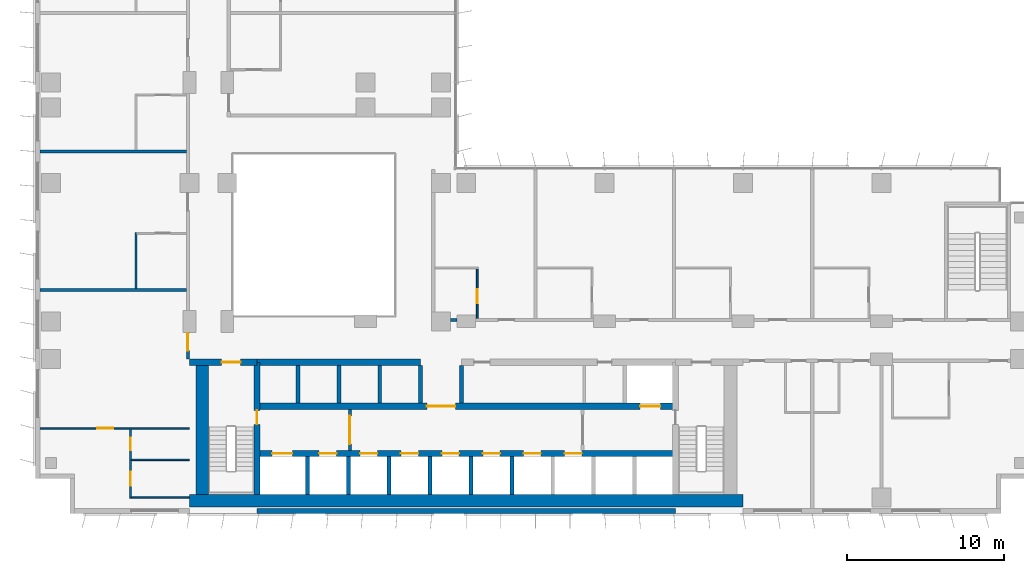
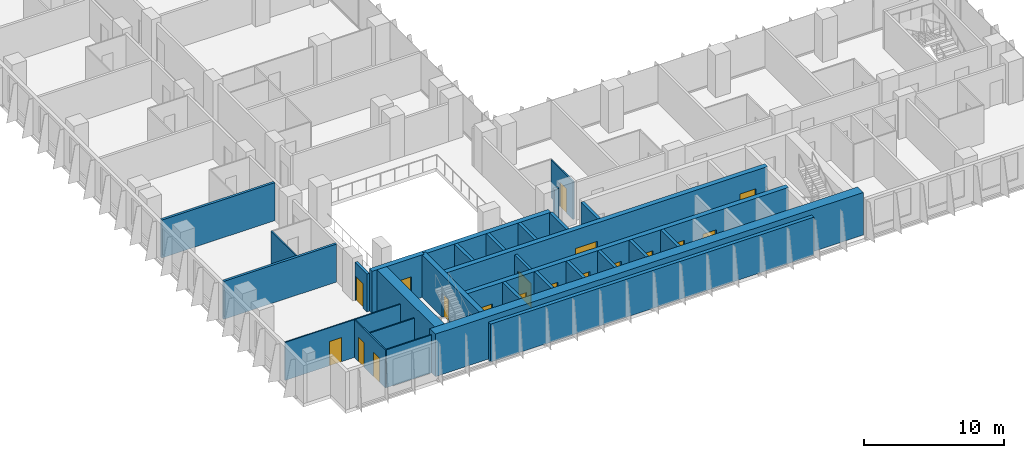
# One storey, part 12 of 22: 30 walls, 18 doors, 18 openings.
"""IFC4 building model written with IfcOpenShell, lengths in metres."""

from ifc_helpers import new_model, si_unit, direction, frame, frame_2d, origin, place, context, subcontext, project, spatial, rectangle, extrude, material, layer, layer_set, type_object, element, fill, save


model = new_model("IFC4")

# Units and contexts
model_context = context("Model", 3, precision=1e-05, world=origin(), true_north=direction((0.0, 1.0)))
body_context = subcontext(model_context, "Body", "Model", "MODEL_VIEW")
ifc_project = project(units=[si_unit("LENGTHUNIT", "METRE"), si_unit("AREAUNIT", "SQUARE_METRE"), si_unit("VOLUMEUNIT", "CUBIC_METRE"), si_unit("PLANEANGLEUNIT", "RADIAN"), si_unit("MASSUNIT", "GRAM", prefix="KILO")], contexts=[model_context])

# Site, building, storey
site_placement = place(None, origin())
site = spatial("IfcSite", under=ifc_project, at=site_placement, CompositionType="ELEMENT")
building_placement = place(site_placement, origin())
building = spatial("IfcBuilding", under=site, at=building_placement, Name="Kemantara Hotel Tower", CompositionType="ELEMENT")
storey_placement = place(building_placement, frame((0.0, 0.0, 98.199951171875)))
storey = spatial("IfcBuildingStorey", under=building, at=storey_placement, Name="L23", CompositionType="ELEMENT", Elevation=98.199951171875)

# Walls
ifc_material_1 = material(Name="Bronze anodised aluminium cladding on insulated steel stud wall", Category="steel")
ifc_layer_1 = layer(ifc_material_1, 0.300048828125)
ifc_layer_set_1 = layer_set([ifc_layer_1], Name="Bronze anodised aluminium cladding on insulated steel stud wall")
wall_type_1 = type_object("IfcWallType", Name="BRONZE METAL-CLAD EXTERNAL WALL 300", PredefinedType="STANDARD", material=ifc_layer_set_1)
wall_1_placement = place(storey_placement, frame((14.10009765625, 0.14990234375, 0.0), z_axis=(0.0, 0.0, 1.0), x_axis=(1.0, 0.0, 0.0)))
element("IfcWall", 1, at=wall_1_placement, inside=storey, type_object=wall_type_1, Name="EXTERNAL WALL L23 T2-R07-2", PredefinedType="STANDARD", context=body_context, shape_type="SweptSolid", body=[
    extrude(rectangle(XDim=26.599853515625, YDim=0.300048828125, at=frame_2d((13.2998046875, 0.0))), origin(), (0.0, 0.0, 1.0), 3.300048828125),
])
ifc_material_2 = material(Name="Concrete fc 70 MPa", Category="concrete")
ifc_layer_2 = layer(ifc_material_2, 0.25)
ifc_layer_set_2 = layer_set([ifc_layer_2], Name="Concrete fc 70 MPa")
wall_type_2 = type_object("IfcWallType", Name="CORE WALL 250 FC70", PredefinedType="SHEAR", material=ifc_layer_set_2)
for number, where, z_axis, x_axis, name in (
    (2, (17.300048828125, 1.199951171875, 0.0), (0.0, 0.0, 1.0), (0.0, 1.0, 0.0), "CORE WALL CW-DS17.3"),
    (3, (19.89990234375, 1.199951171875, 0.0), (0.0, 0.0, 1.0), (0.0, 1.0, 0.0), "CORE WALL CW-DS19.9"),
    (4, (22.5, 1.199951171875, 0.0), (0.0, 0.0, 1.0), (0.0, 1.0, 0.0), "CORE WALL CW-DS22.5"),
    (5, (25.10009765625, 1.199951171875, 0.0), (0.0, 0.0, 1.0), (0.0, 1.0, 0.0), "CORE WALL CW-DS25.1"),
    (6, (27.699951171875, 1.199951171875, 0.0), (0.0, 0.0, 1.0), (0.0, 1.0, 0.0), "CORE WALL CW-DS27.7"),
    (7, (30.300048828125, 1.199951171875, 0.0), (0.0, 0.0, 1.0), (0.0, 1.0, 0.0), "CORE WALL CW-DS30.3"),
):
    element("IfcWall", number, at=place(storey_placement, frame(where, z_axis=z_axis, x_axis=x_axis)), inside=storey, type_object=wall_type_2, Name=name, PredefinedType="SHEAR", context=body_context, shape_type="SweptSolid", body=[
        extrude(rectangle(XDim=2.400146484375, YDim=0.25, at=frame_2d((1.2001953125, 0.0))), origin(), (0.0, 0.0, 1.0), 3.699951171875),
    ])
for number, where, z_axis, x_axis, name in (
    (8, (16.699951171875, 7.0, 0.0), (0.0, 0.0, 1.0), (0.0, 1.0, 0.0), "CORE WALL CW-DN16.7"),
    (9, (19.300048828125, 7.0, 0.0), (0.0, 0.0, 1.0), (0.0, 1.0, 0.0), "CORE WALL CW-DN19.3"),
    (10, (21.89990234375, 7.0, 0.0), (0.0, 0.0, 1.0), (0.0, 1.0, 0.0), "CORE WALL CW-DN21.9"),
    (11, (24.5, 7.0, 0.0), (0.0, 0.0, 1.0), (0.0, 1.0, 0.0), "CORE WALL CW-DN24.5"),
    (12, (27.10009765625, 7.0, 0.0), (0.0, 0.0, 1.0), (0.0, 1.0, 0.0), "CORE WALL CW-DN27.1"),
):
    element("IfcWall", number, at=place(storey_placement, frame(where, z_axis=z_axis, x_axis=x_axis)), inside=storey, type_object=wall_type_2, Name=name, PredefinedType="SHEAR", context=body_context, shape_type="SweptSolid", body=[
        extrude(rectangle(XDim=2.39990234375, YDim=0.25, at=frame_2d((1.199951171875, 0.0))), origin(), (0.0, 0.0, 1.0), 3.699951171875),
    ])

# Wall, opening, door
ifc_layer_3 = layer(ifc_material_2, 0.39990234375)
ifc_layer_set_3 = layer_set([ifc_layer_3], Name="Concrete fc 70 MPa")
wall_type_3 = type_object("IfcWallType", Name="CORE WALL 400 FC70", PredefinedType="SHEAR", material=ifc_layer_set_3)
wall_2_placement = place(storey_placement, frame((9.800048828125, 9.60009765625, 0.0), z_axis=(0.0, 0.0, 1.0), x_axis=(1.0, 0.0, 0.0)))
wall_2 = element("IfcWall", 13, at=wall_2_placement, inside=storey, type_object=wall_type_3, Name="CORE WALL CW-N1", PredefinedType="SHEAR", context=body_context, shape_type="SweptSolid", body=[
    extrude(rectangle(XDim=4.300048828125, YDim=0.39990234375, at=frame_2d((2.14990234375, 0.0))), origin(), (0.0, 0.0, 1.0), 3.699951171875),
])
opening_1_placement = place(wall_2_placement, frame((2.050048828125, 0.0, 0.0)))
opening_1 = element("IfcOpeningElement", 14, at=opening_1_placement, cuts=wall_2, Name="Opening C16-ST1-C", PredefinedType="OPENING", context=body_context, shape_type="SweptSolid", body=[
    extrude(rectangle(XDim=1.199951171875, YDim=2.10009765625, at=frame_2d((0.60009765625, 1.050048828125))), frame((0.0, 0.2099609375, 0.0), z_axis=(0.0, -1.0, 0.0), x_axis=(1.0, 0.0, 0.0)), (0.0, 0.0, 1.0), 0.419921875),
])
ifc_material_3 = material(Name="Steel fire door", Category="steel")
door_type_1 = type_object("IfcDoorType", Name="Fire door FD90 1200 x 2100", OperationType="NOTDEFINED", PredefinedType="DOOR", material=ifc_material_3)
door_1_placement = place(opening_1_placement, frame((1.199951171875, 0.0, 0.0), z_axis=(0.0, 0.0, 1.0), x_axis=(-1.0, 0.0, 0.0)))
door_1 = element("IfcDoor", 15, at=door_1_placement, inside=storey, type_object=door_type_1, Name="Stair ST1 door to corridor", OperationType="SINGLE_SWING_LEFT", OverallHeight=2.10009765625, OverallWidth=1.199951171875, PredefinedType="DOOR", context=body_context, shape_type="SweptSolid", body=[
    extrude(rectangle(XDim=1.199951171875, YDim=2.10009765625, at=frame_2d((0.60009765625, 1.050048828125))), frame((0.0, 0.02490234375, 0.0), z_axis=(0.0, -1.0, 0.0), x_axis=(1.0, 0.0, 0.0)), (0.0, 0.0, 1.0), 0.050048828125),
])
fill(opening_1, door_1)

# Wall
wall_3_placement = place(storey_placement, frame((14.10009765625, 9.60009765625, 0.0), z_axis=(0.0, 0.0, 1.0), x_axis=(1.0, 0.0, 0.0)))
element("IfcWall", 16, at=wall_3_placement, inside=storey, type_object=wall_type_3, Name="CORE WALL CW-NN1", PredefinedType="SHEAR", context=body_context, shape_type="SweptSolid", body=[
    extrude(rectangle(XDim=10.39990234375, YDim=0.39990234375, at=frame_2d((5.199951171875, 0.0))), origin(), (0.0, 0.0, 1.0), 3.699951171875),
])

# Wall, openings, doors
wall_4_placement = place(storey_placement, frame((14.10009765625, 3.800048828125, 0.0), z_axis=(0.0, 0.0, 1.0), x_axis=(1.0, 0.0, 0.0)))
wall_4 = element("IfcWall", 17, at=wall_4_placement, inside=storey, type_object=wall_type_3, Name="CORE WALL CW-L1", PredefinedType="SHEAR", context=body_context, shape_type="SweptSolid", body=[
    extrude(rectangle(XDim=26.599853515625, YDim=0.39990234375, at=frame_2d((13.2998046875, 0.0))), origin(), (0.0, 0.0, 1.0), 3.699951171875),
])
opening_2_placement = place(wall_4_placement, frame((0.949951171875, 0.0, 0.0)))
opening_2 = element("IfcOpeningElement", 18, at=opening_2_placement, cuts=wall_4, Name="Opening C16-LD-FF1", PredefinedType="OPENING", context=body_context, shape_type="SweptSolid", body=[
    extrude(rectangle(XDim=1.300048828125, YDim=2.10009765625, at=frame_2d((0.64990234375, 1.050048828125))), frame((0.0, 0.2099609375, 0.0), z_axis=(0.0, -1.0, 0.0), x_axis=(1.0, 0.0, 0.0)), (0.0, 0.0, 1.0), 0.419921875),
])
opening_3_placement = place(wall_4_placement, frame((3.949951171875, 0.0, 0.0)))
opening_3 = element("IfcOpeningElement", 19, at=opening_3_placement, cuts=wall_4, Name="Opening C16-LD-SV1", PredefinedType="OPENING", context=body_context, shape_type="SweptSolid", body=[
    extrude(rectangle(XDim=1.10009765625, YDim=2.10009765625, at=frame_2d((0.550048828125, 1.050048828125))), frame((0.0, 0.2099609375, 0.0), z_axis=(0.0, -1.0, 0.0), x_axis=(1.0, 0.0, 0.0)), (0.0, 0.0, 1.0), 0.419921875),
])
opening_4_placement = place(wall_4_placement, frame((6.550048828125, 0.0, 0.0)))
opening_4 = element("IfcOpeningElement", 20, at=opening_4_placement, cuts=wall_4, Name="Opening C16-LD-SV2", PredefinedType="OPENING", context=body_context, shape_type="SweptSolid", body=[
    extrude(rectangle(XDim=1.10009765625, YDim=2.10009765625, at=frame_2d((0.550048828125, 1.050048828125))), frame((0.0, 0.2099609375, 0.0), z_axis=(0.0, -1.0, 0.0), x_axis=(1.0, 0.0, 0.0)), (0.0, 0.0, 1.0), 0.419921875),
])
opening_5_placement = place(wall_4_placement, frame((9.14990234375, 0.0, 0.0)))
opening_5 = element("IfcOpeningElement", 21, at=opening_5_placement, cuts=wall_4, Name="Opening C16-LD-SV3", PredefinedType="OPENING", context=body_context, shape_type="SweptSolid", body=[
    extrude(rectangle(XDim=1.10009765625, YDim=2.10009765625, at=frame_2d((0.550048828125, 1.050048828125))), frame((0.0, 0.2099609375, 0.0), z_axis=(0.0, -1.0, 0.0), x_axis=(1.0, 0.0, 0.0)), (0.0, 0.0, 1.0), 0.419921875),
])
opening_6_placement = place(wall_4_placement, frame((11.75, 0.0, 0.0)))
opening_6 = element("IfcOpeningElement", 22, at=opening_6_placement, cuts=wall_4, Name="Opening C16-LD-LR1", PredefinedType="OPENING", context=body_context, shape_type="SweptSolid", body=[
    extrude(rectangle(XDim=1.10009765625, YDim=2.10009765625, at=frame_2d((0.550048828125, 1.050048828125))), frame((0.0, 0.2099609375, 0.0), z_axis=(0.0, -1.0, 0.0), x_axis=(1.0, 0.0, 0.0)), (0.0, 0.0, 1.0), 0.419921875),
])
opening_7_placement = place(wall_4_placement, frame((14.35009765625, 0.0, 0.0)))
opening_7 = element("IfcOpeningElement", 23, at=opening_7_placement, cuts=wall_4, Name="Opening C16-LD-LR2", PredefinedType="OPENING", context=body_context, shape_type="SweptSolid", body=[
    extrude(rectangle(XDim=1.10009765625, YDim=2.10009765625, at=frame_2d((0.550048828125, 1.050048828125))), frame((0.0, 0.2099609375, 0.0), z_axis=(0.0, -1.0, 0.0), x_axis=(1.0, 0.0, 0.0)), (0.0, 0.0, 1.0), 0.419921875),
])
opening_8_placement = place(wall_4_placement, frame((16.949951171875, 0.0, 0.0)))
opening_8 = element("IfcOpeningElement", 24, at=opening_8_placement, cuts=wall_4, Name="Opening C16-LD-LR3", PredefinedType="OPENING", context=body_context, shape_type="SweptSolid", body=[
    extrude(rectangle(XDim=1.10009765625, YDim=2.10009765625, at=frame_2d((0.550048828125, 1.050048828125))), frame((0.0, 0.2099609375, 0.0), z_axis=(0.0, -1.0, 0.0), x_axis=(1.0, 0.0, 0.0)), (0.0, 0.0, 1.0), 0.419921875),
])
opening_9_placement = place(wall_4_placement, frame((19.550048828125, 0.0, 0.0)))
opening_9 = element("IfcOpeningElement", 25, at=opening_9_placement, cuts=wall_4, Name="Opening C16-LD-LR4", PredefinedType="OPENING", context=body_context, shape_type="SweptSolid", body=[
    extrude(rectangle(XDim=1.10009765625, YDim=2.10009765625, at=frame_2d((0.550048828125, 1.050048828125))), frame((0.0, 0.2099609375, 0.0), z_axis=(0.0, -1.0, 0.0), x_axis=(1.0, 0.0, 0.0)), (0.0, 0.0, 1.0), 0.419921875),
])
ifc_material_4 = material(Name="Stainless steel lift door", Category="steel")
door_type_2 = type_object("IfcDoorType", Name="Lift landing door 1100 x 2100 FD60", OperationType="DOUBLE_DOOR_SLIDING", PredefinedType="DOOR", material=ifc_material_4)
door_2_placement = place(opening_3_placement, origin())
door_2 = element("IfcDoor", 26, at=door_2_placement, inside=storey, type_object=door_type_2, Name="Lift SV1 landing door", OperationType="DOUBLE_DOOR_SLIDING", OverallHeight=2.10009765625, OverallWidth=1.10009765625, PredefinedType="DOOR", context=body_context, shape_type="SweptSolid", body=[
    extrude(rectangle(XDim=1.10009765625, YDim=2.10009765625, at=frame_2d((0.550048828125, 1.050048828125))), frame((0.0, 0.02490234375, 0.0), z_axis=(0.0, -1.0, 0.0), x_axis=(1.0, 0.0, 0.0)), (0.0, 0.0, 1.0), 0.050048828125),
])
fill(opening_3, door_2)
door_3_placement = place(opening_4_placement, origin())
door_3 = element("IfcDoor", 27, at=door_3_placement, inside=storey, type_object=door_type_2, Name="Lift SV2 landing door", OperationType="DOUBLE_DOOR_SLIDING", OverallHeight=2.10009765625, OverallWidth=1.10009765625, PredefinedType="DOOR", context=body_context, shape_type="SweptSolid", body=[
    extrude(rectangle(XDim=1.10009765625, YDim=2.10009765625, at=frame_2d((0.550048828125, 1.050048828125))), frame((0.0, 0.02490234375, 0.0), z_axis=(0.0, -1.0, 0.0), x_axis=(1.0, 0.0, 0.0)), (0.0, 0.0, 1.0), 0.050048828125),
])
fill(opening_4, door_3)
door_4_placement = place(opening_5_placement, origin())
door_4 = element("IfcDoor", 28, at=door_4_placement, inside=storey, type_object=door_type_2, Name="Lift SV3 landing door", OperationType="DOUBLE_DOOR_SLIDING", OverallHeight=2.10009765625, OverallWidth=1.10009765625, PredefinedType="DOOR", context=body_context, shape_type="SweptSolid", body=[
    extrude(rectangle(XDim=1.10009765625, YDim=2.10009765625, at=frame_2d((0.550048828125, 1.050048828125))), frame((0.0, 0.02490234375, 0.0), z_axis=(0.0, -1.0, 0.0), x_axis=(1.0, 0.0, 0.0)), (0.0, 0.0, 1.0), 0.050048828125),
])
fill(opening_5, door_4)
door_5_placement = place(opening_6_placement, origin())
door_5 = element("IfcDoor", 29, at=door_5_placement, inside=storey, type_object=door_type_2, Name="Lift LR1 landing door", OperationType="DOUBLE_DOOR_SLIDING", OverallHeight=2.10009765625, OverallWidth=1.10009765625, PredefinedType="DOOR", context=body_context, shape_type="SweptSolid", body=[
    extrude(rectangle(XDim=1.10009765625, YDim=2.10009765625, at=frame_2d((0.550048828125, 1.050048828125))), frame((0.0, 0.02490234375, 0.0), z_axis=(0.0, -1.0, 0.0), x_axis=(1.0, 0.0, 0.0)), (0.0, 0.0, 1.0), 0.050048828125),
])
fill(opening_6, door_5)
door_6_placement = place(opening_7_placement, origin())
door_6 = element("IfcDoor", 30, at=door_6_placement, inside=storey, type_object=door_type_2, Name="Lift LR2 landing door", OperationType="DOUBLE_DOOR_SLIDING", OverallHeight=2.10009765625, OverallWidth=1.10009765625, PredefinedType="DOOR", context=body_context, shape_type="SweptSolid", body=[
    extrude(rectangle(XDim=1.10009765625, YDim=2.10009765625, at=frame_2d((0.550048828125, 1.050048828125))), frame((0.0, 0.02490234375, 0.0), z_axis=(0.0, -1.0, 0.0), x_axis=(1.0, 0.0, 0.0)), (0.0, 0.0, 1.0), 0.050048828125),
])
fill(opening_7, door_6)
door_7_placement = place(opening_8_placement, origin())
door_7 = element("IfcDoor", 31, at=door_7_placement, inside=storey, type_object=door_type_2, Name="Lift LR3 landing door", OperationType="DOUBLE_DOOR_SLIDING", OverallHeight=2.10009765625, OverallWidth=1.10009765625, PredefinedType="DOOR", context=body_context, shape_type="SweptSolid", body=[
    extrude(rectangle(XDim=1.10009765625, YDim=2.10009765625, at=frame_2d((0.550048828125, 1.050048828125))), frame((0.0, 0.02490234375, 0.0), z_axis=(0.0, -1.0, 0.0), x_axis=(1.0, 0.0, 0.0)), (0.0, 0.0, 1.0), 0.050048828125),
])
fill(opening_8, door_7)
door_8_placement = place(opening_9_placement, origin())
door_8 = element("IfcDoor", 32, at=door_8_placement, inside=storey, type_object=door_type_2, Name="Lift LR4 landing door", OperationType="DOUBLE_DOOR_SLIDING", OverallHeight=2.10009765625, OverallWidth=1.10009765625, PredefinedType="DOOR", context=body_context, shape_type="SweptSolid", body=[
    extrude(rectangle(XDim=1.10009765625, YDim=2.10009765625, at=frame_2d((0.550048828125, 1.050048828125))), frame((0.0, 0.02490234375, 0.0), z_axis=(0.0, -1.0, 0.0), x_axis=(1.0, 0.0, 0.0)), (0.0, 0.0, 1.0), 0.050048828125),
])
fill(opening_9, door_8)
door_type_3 = type_object("IfcDoorType", Name="Lift landing door 1300 x 2100 FD90", OperationType="DOUBLE_DOOR_SLIDING", PredefinedType="DOOR", material=ifc_material_4)
door_9_placement = place(opening_2_placement, origin())
door_9 = element("IfcDoor", 33, at=door_9_placement, inside=storey, type_object=door_type_3, Name="Lift FF1 landing door", OperationType="DOUBLE_DOOR_SLIDING", OverallHeight=2.10009765625, OverallWidth=1.300048828125, PredefinedType="DOOR", context=body_context, shape_type="SweptSolid", body=[
    extrude(rectangle(XDim=1.300048828125, YDim=2.10009765625, at=frame_2d((0.64990234375, 1.050048828125))), frame((0.0, 0.02490234375, 0.0), z_axis=(0.0, -1.0, 0.0), x_axis=(1.0, 0.0, 0.0)), (0.0, 0.0, 1.0), 0.050048828125),
])
fill(opening_2, door_9)

wall_5_placement = place(storey_placement, frame((14.10009765625, 6.800048828125, 0.0), z_axis=(0.0, 0.0, 1.0), x_axis=(1.0, 0.0, 0.0)))
wall_5 = element("IfcWall", 34, at=wall_5_placement, inside=storey, type_object=wall_type_3, Name="CORE WALL CW-L2", PredefinedType="SHEAR", context=body_context, shape_type="SweptSolid", body=[
    extrude(rectangle(XDim=26.599853515625, YDim=0.39990234375, at=frame_2d((13.2998046875, 0.0))), origin(), (0.0, 0.0, 1.0), 3.699951171875),
])
opening_10_placement = place(wall_5_placement, frame((10.800048828125, 0.0, 0.0)))
opening_10 = element("IfcOpeningElement", 35, at=opening_10_placement, cuts=wall_5, Name="Opening C16-VL", PredefinedType="OPENING", context=body_context, shape_type="SweptSolid", body=[
    extrude(rectangle(XDim=1.800048828125, YDim=2.10009765625, at=frame_2d((0.89990234375, 1.050048828125))), frame((0.0, 0.2099609375, 0.0), z_axis=(0.0, -1.0, 0.0), x_axis=(1.0, 0.0, 0.0)), (0.0, 0.0, 1.0), 0.419921875),
])
opening_11_placement = place(wall_5_placement, frame((24.35009765625, 0.0, 0.0)))
opening_11 = element("IfcOpeningElement", 36, at=opening_11_placement, cuts=wall_5, Name="Opening C16-LD-FF2", PredefinedType="OPENING", context=body_context, shape_type="SweptSolid", body=[
    extrude(rectangle(XDim=1.300048828125, YDim=2.10009765625, at=frame_2d((0.64990234375, 1.050048828125))), frame((0.0, 0.2099609375, 0.0), z_axis=(0.0, -1.0, 0.0), x_axis=(1.0, 0.0, 0.0)), (0.0, 0.0, 1.0), 0.419921875),
])
door_type_4 = type_object("IfcDoorType", Name="Fire door pair FD60 1800 x 2100", OperationType="DOUBLE_DOOR_SINGLE_SWING", PredefinedType="DOOR", material=ifc_material_3)
door_10_placement = place(opening_10_placement, frame((1.800048828125, 0.0, 0.0), z_axis=(0.0, 0.0, 1.0), x_axis=(-1.0, 0.0, 0.0)))
door_10 = element("IfcDoor", 37, at=door_10_placement, inside=storey, type_object=door_type_4, Name="Lift lobby entry door", OperationType="DOUBLE_DOOR_SINGLE_SWING", OverallHeight=2.10009765625, OverallWidth=1.800048828125, PredefinedType="DOOR", context=body_context, shape_type="SweptSolid", body=[
    extrude(rectangle(XDim=1.800048828125, YDim=2.10009765625, at=frame_2d((0.89990234375, 1.050048828125))), frame((0.0, 0.02490234375, 0.0), z_axis=(0.0, -1.0, 0.0), x_axis=(1.0, 0.0, 0.0)), (0.0, 0.0, 1.0), 0.050048828125),
])
fill(opening_10, door_10)
door_11_placement = place(opening_11_placement, origin())
door_11 = element("IfcDoor", 38, at=door_11_placement, inside=storey, type_object=door_type_3, Name="Lift FF2 landing door", OperationType="DOUBLE_DOOR_SLIDING", OverallHeight=2.10009765625, OverallWidth=1.300048828125, PredefinedType="DOOR", context=body_context, shape_type="SweptSolid", body=[
    extrude(rectangle(XDim=1.300048828125, YDim=2.10009765625, at=frame_2d((0.64990234375, 1.050048828125))), frame((0.0, 0.02490234375, 0.0), z_axis=(0.0, -1.0, 0.0), x_axis=(1.0, 0.0, 0.0)), (0.0, 0.0, 1.0), 0.050048828125),
])
fill(opening_11, door_11)

# Wall, opening, door
wall_6_placement = place(storey_placement, frame((14.10009765625, 1.199951171875, 0.0), z_axis=(0.0, 0.0, 1.0), x_axis=(0.0, 1.0, 0.0)))
wall_6 = element("IfcWall", 39, at=wall_6_placement, inside=storey, type_object=wall_type_3, Name="CORE WALL CW-ST1E", PredefinedType="SHEAR", context=body_context, shape_type="SweptSolid", body=[
    extrude(rectangle(XDim=8.400146484375, YDim=0.39990234375, at=frame_2d((4.2001953125, 0.0))), origin(), (0.0, 0.0, 1.0), 3.699951171875),
])
opening_12_placement = place(wall_6_placement, frame((4.449951171875, 0.0, 0.0)))
opening_12 = element("IfcOpeningElement", 40, at=opening_12_placement, cuts=wall_6, Name="Opening C16-ST1-F", PredefinedType="OPENING", context=body_context, shape_type="SweptSolid", body=[
    extrude(rectangle(XDim=0.89990234375, YDim=2.10009765625, at=frame_2d((0.449951171875, 1.050048828125))), frame((0.0, 0.2099609375, 0.0), z_axis=(0.0, -1.0, 0.0), x_axis=(1.0, 0.0, 0.0)), (0.0, 0.0, 1.0), 0.419921875),
])
door_type_5 = type_object("IfcDoorType", Name="Fire door FD90 900 x 2100", OperationType="NOTDEFINED", PredefinedType="DOOR", material=ifc_material_3)
door_12_placement = place(opening_12_placement, origin())
door_12 = element("IfcDoor", 41, at=door_12_placement, inside=storey, type_object=door_type_5, Name="Stair ST1 door to firefighting lobby", OperationType="SINGLE_SWING_RIGHT", OverallHeight=2.10009765625, OverallWidth=0.89990234375, PredefinedType="DOOR", context=body_context, shape_type="SweptSolid", body=[
    extrude(rectangle(XDim=0.89990234375, YDim=2.10009765625, at=frame_2d((0.449951171875, 1.050048828125))), frame((0.0, 0.02490234375, 0.0), z_axis=(0.0, -1.0, 0.0), x_axis=(1.0, 0.0, 0.0)), (0.0, 0.0, 1.0), 0.050048828125),
])
fill(opening_12, door_12)

# Walls
ifc_layer_4 = layer(ifc_material_2, 0.800048828125)
ifc_layer_set_4 = layer_set([ifc_layer_4], Name="Concrete fc 70 MPa")
wall_type_4 = type_object("IfcWallType", Name="CORE WALL 800 FC70", PredefinedType="SHEAR", material=ifc_layer_set_4)
wall_7_placement = place(storey_placement, frame((9.800048828125, 0.800048828125, 0.0), z_axis=(0.0, 0.0, 1.0), x_axis=(1.0, 0.0, 0.0)))
element("IfcWall", 42, at=wall_7_placement, inside=storey, type_object=wall_type_4, Name="CORE WALL CW-S", PredefinedType="SHEAR", context=body_context, shape_type="SweptSolid", body=[
    extrude(rectangle(XDim=35.199951171875, YDim=0.800048828125, at=frame_2d((17.60009765625, 0.0))), origin(), (0.0, 0.0, 1.0), 3.699951171875),
])
wall_8_placement = place(storey_placement, frame((10.60009765625, 1.199951171875, 0.0), z_axis=(0.0, 0.0, 1.0), x_axis=(0.0, 1.0, 0.0)))
element("IfcWall", 43, at=wall_8_placement, inside=storey, type_object=wall_type_4, Name="CORE WALL CW-W", PredefinedType="SHEAR", context=body_context, shape_type="SweptSolid", body=[
    extrude(rectangle(XDim=8.60009765625, YDim=0.800048828125, at=frame_2d((4.300048828125, 0.0))), origin(), (0.0, 0.0, 1.0), 3.699951171875),
])
ifc_material_5 = material(Name="Gypsum board partition, steel studs and mineral wool, 200 mm", Category="steel")
ifc_layer_5 = layer(ifc_material_5, 0.199951171875)
ifc_layer_set_5 = layer_set([ifc_layer_5], Name="Gypsum board partition, steel studs and mineral wool, 200 mm")
wall_type_5 = type_object("IfcWallType", Name="CORRIDOR WALL 200", PredefinedType="PARTITIONING", material=ifc_layer_set_5)
wall_9_placement = place(storey_placement, frame((26.400146484375, 12.300048828125, 0.0), z_axis=(0.0, 0.0, 1.0), x_axis=(1.0, 0.0, 0.0)))
element("IfcWall", 44, at=wall_9_placement, inside=storey, type_object=wall_type_5, Name="CORRIDOR WALL 200 006", PredefinedType="PARTITIONING", context=body_context, shape_type="SweptSolid", body=[
    extrude(rectangle(XDim=0.399658203125, YDim=0.199951171875, at=frame_2d((0.19970703125, 0.0))), origin(), (0.0, 0.0, 1.0), 3.300048828125),
])

# Wall, opening, door
wall_10_placement = place(storey_placement, frame((9.699951171875, 9.800048828125, 0.0), z_axis=(0.0, 0.0, 1.0), x_axis=(0.0, 1.0, 0.0)))
wall_10 = element("IfcWall", 45, at=wall_10_placement, inside=storey, type_object=wall_type_5, Name="CORRIDOR WALL 200 015", PredefinedType="PARTITIONING", context=body_context, shape_type="SweptSolid", body=[
    extrude(rectangle(XDim=1.699951171875, YDim=0.199951171875, at=frame_2d((0.85009765625, 0.0))), origin(), (0.0, 0.0, 1.0), 3.300048828125),
])
opening_13_placement = place(wall_10_placement, frame((0.550048828125, 0.0, 0.0)))
opening_13 = element("IfcOpeningElement", 46, at=opening_13_placement, cuts=wall_10, Name="Opening F09-015", PredefinedType="OPENING", context=body_context, shape_type="SweptSolid", body=[
    extrude(rectangle(XDim=1.10009765625, YDim=2.10009765625, at=frame_2d((0.550048828125, 1.050048828125))), frame((0.0, 0.10986328125, 0.0), z_axis=(0.0, -1.0, 0.0), x_axis=(1.0, 0.0, 0.0)), (0.0, 0.0, 1.0), 0.219970703125),
])
ifc_material_6 = material(Name="Hardwood veneer door leaf with steel frame", Category="steel")
door_type_6 = type_object("IfcDoorType", Name="SUITE ENTRANCE DOOR 1100 X 2100 FD30S", OperationType="NOTDEFINED", PredefinedType="DOOR", material=ifc_material_6)
door_13_placement = place(opening_13_placement, origin())
door_13 = element("IfcDoor", 47, at=door_13_placement, inside=storey, type_object=door_type_6, Name="SUITE ENTRANCE DOOR F09-015", OperationType="SINGLE_SWING_RIGHT", OverallHeight=2.10009765625, OverallWidth=1.10009765625, PredefinedType="DOOR", context=body_context, shape_type="SweptSolid", body=[
    extrude(rectangle(XDim=1.10009765625, YDim=2.10009765625, at=frame_2d((0.550048828125, 1.050048828125))), frame((0.0, 0.02490234375, 0.0), z_axis=(0.0, -1.0, 0.0), x_axis=(1.0, 0.0, 0.0)), (0.0, 0.0, 1.0), 0.050048828125),
])
fill(opening_13, door_13)

# Walls
ifc_layer_6 = layer(ifc_material_5, 0.199951171875)
ifc_layer_set_6 = layer_set([ifc_layer_6], Name="Gypsum board partition, steel studs and mineral wool, 200 mm")
wall_type_6 = type_object("IfcWallType", Name="GUEST ROOM PARTY WALL 200", PredefinedType="PARTITIONING", material=ifc_layer_set_6)
for number, where, z_axis, x_axis, name in (
    (48, (0.31005859375, 14.199951171875, 0.0), (0.0, 0.0, 1.0), (1.0, 0.0, 0.0), "GUEST ROOM PARTY WALL 200 024"),
    (49, (0.31005859375, 23.0, 0.0), (0.0, 0.0, 1.0), (1.0, 0.0, 0.0), "GUEST ROOM PARTY WALL 200 025"),
):
    element("IfcWall", number, at=place(storey_placement, frame(where, z_axis=z_axis, x_axis=x_axis)), inside=storey, type_object=wall_type_6, Name=name, PredefinedType="PARTITIONING", context=body_context, shape_type="SweptSolid", body=[
        extrude(rectangle(XDim=9.2900390625, YDim=0.199951171875, at=frame_2d((4.64501953125, 0.0))), origin(), (0.0, 0.0, 1.0), 3.300048828125),
    ])

# Wall, opening, door
ifc_material_7 = material(Name="Gypsum board shaft wall")
ifc_layer_7 = layer(ifc_material_7, 0.199951171875)
ifc_layer_set_7 = layer_set([ifc_layer_7], Name="Gypsum board shaft wall")
wall_type_7 = type_object("IfcWallType", Name="Gypsum board shaft wall 200 mm", PredefinedType="PARTITIONING", material=ifc_layer_set_7)
wall_11_placement = place(storey_placement, frame((20.0, 4.0, 0.0), z_axis=(0.0, 0.0, 1.0), x_axis=(0.0, 1.0, 0.0)))
wall_11 = element("IfcWall", 50, at=wall_11_placement, inside=storey, type_object=wall_type_7, Name="Firefighting lobby partition west", PredefinedType="PARTITIONING", context=body_context, shape_type="SweptSolid", body=[
    extrude(rectangle(XDim=2.60009765625, YDim=0.199951171875, at=frame_2d((1.300048828125, 0.0))), origin(), (0.0, 0.0, 1.0), 3.300048828125),
])
opening_14_placement = place(wall_11_placement, frame((0.39990234375, 0.0, 0.0)))
opening_14 = element("IfcOpeningElement", 51, at=opening_14_placement, cuts=wall_11, Name="Opening C16-FFW", PredefinedType="OPENING", context=body_context, shape_type="SweptSolid", body=[
    extrude(rectangle(XDim=1.800048828125, YDim=2.10009765625, at=frame_2d((0.89990234375, 1.050048828125))), frame((0.0, 0.10986328125, 0.0), z_axis=(0.0, -1.0, 0.0), x_axis=(1.0, 0.0, 0.0)), (0.0, 0.0, 1.0), 0.219970703125),
])
door_14_placement = place(opening_14_placement, origin())
door_14 = element("IfcDoor", 52, at=door_14_placement, inside=storey, type_object=door_type_4, Name="Firefighting lobby door west", OperationType="DOUBLE_DOOR_SINGLE_SWING", OverallHeight=2.10009765625, OverallWidth=1.800048828125, PredefinedType="DOOR", context=body_context, shape_type="SweptSolid", body=[
    extrude(rectangle(XDim=1.800048828125, YDim=2.10009765625, at=frame_2d((0.89990234375, 1.050048828125))), frame((0.0, 0.02490234375, 0.0), z_axis=(0.0, -1.0, 0.0), x_axis=(1.0, 0.0, 0.0)), (0.0, 0.0, 1.0), 0.050048828125),
])
fill(opening_14, door_14)

ifc_material_8 = material(Name="Gypsum board partition on steel studs, 100 mm", Category="steel")
ifc_layer_8 = layer(ifc_material_8, 0.10009765625)
ifc_layer_set_8 = layer_set([ifc_layer_8], Name="Gypsum board partition on steel studs, 100 mm")
wall_type_8 = type_object("IfcWallType", Name="ROOM PARTITION 100", PredefinedType="PARTITIONING", material=ifc_layer_set_8)
wall_12_placement = place(storey_placement, frame((28.10009765625, 12.39990234375, 0.0), z_axis=(0.0, 0.0, 1.0), x_axis=(0.0, 1.0, 0.0)))
wall_12 = element("IfcWall", 53, at=wall_12_placement, inside=storey, type_object=wall_type_8, Name="ROOM PARTITION 100 054", PredefinedType="PARTITIONING", context=body_context, shape_type="SweptSolid", body=[
    extrude(rectangle(XDim=3.150146484375, YDim=0.10009765625, at=frame_2d((1.5751953125, 0.0))), origin(), (0.0, 0.0, 1.0), 3.300048828125),
])
opening_15_placement = place(wall_12_placement, frame((0.949951171875, 0.0, 0.0)))
opening_15 = element("IfcOpeningElement", 54, at=opening_15_placement, cuts=wall_12, Name="Opening F09-008", PredefinedType="OPENING", context=body_context, shape_type="SweptSolid", body=[
    extrude(rectangle(XDim=0.89990234375, YDim=2.10009765625, at=frame_2d((0.449951171875, 1.050048828125))), frame((0.0, 0.06005859375, 0.0), z_axis=(0.0, -1.0, 0.0), x_axis=(1.0, 0.0, 0.0)), (0.0, 0.0, 1.0), 0.1201171875),
])
door_type_7 = type_object("IfcDoorType", Name="BATHROOM DOOR 900 X 2100", OperationType="NOTDEFINED", PredefinedType="DOOR", material=ifc_material_6)
door_15_placement = place(opening_15_placement, origin())
door_15 = element("IfcDoor", 55, at=door_15_placement, inside=storey, type_object=door_type_7, Name="BATHROOM DOOR F09-008", OperationType="SINGLE_SWING_LEFT", OverallHeight=2.10009765625, OverallWidth=0.89990234375, PredefinedType="DOOR", context=body_context, shape_type="SweptSolid", body=[
    extrude(rectangle(XDim=0.89990234375, YDim=2.10009765625, at=frame_2d((0.449951171875, 1.050048828125))), frame((0.0, 0.02490234375, 0.0), z_axis=(0.0, -1.0, 0.0), x_axis=(1.0, 0.0, 0.0)), (0.0, 0.0, 1.0), 0.050048828125),
])
fill(opening_15, door_15)

# Wall, openings, doors
wall_13_placement = place(storey_placement, frame((6.050048828125, 5.35009765625, 0.0), z_axis=(0.0, 0.0, 1.0), x_axis=(0.0, -1.0, 0.0)))
wall_13 = element("IfcWall", 56, at=wall_13_placement, inside=storey, type_object=wall_type_8, Name="ROOM PARTITION 100 058", PredefinedType="PARTITIONING", context=body_context, shape_type="SweptSolid", body=[
    extrude(rectangle(XDim=4.400146484375, YDim=0.10009765625, at=frame_2d((2.2001953125, 0.0))), origin(), (0.0, 0.0, 1.0), 3.300048828125),
])
opening_16_placement = place(wall_13_placement, frame((2.699951171875, 0.0, 0.0)))
opening_16 = element("IfcOpeningElement", 57, at=opening_16_placement, cuts=wall_13, Name="Opening F09-017", PredefinedType="OPENING", context=body_context, shape_type="SweptSolid", body=[
    extrude(rectangle(XDim=0.89990234375, YDim=2.10009765625, at=frame_2d((0.449951171875, 1.050048828125))), frame((0.0, 0.06005859375, 0.0), z_axis=(0.0, -1.0, 0.0), x_axis=(1.0, 0.0, 0.0)), (0.0, 0.0, 1.0), 0.1201171875),
])
opening_17_placement = place(wall_13_placement, frame((0.550048828125, 0.0, 0.0)))
opening_17 = element("IfcOpeningElement", 58, at=opening_17_placement, cuts=wall_13, Name="Opening F09-018", PredefinedType="OPENING", context=body_context, shape_type="SweptSolid", body=[
    extrude(rectangle(XDim=0.800048828125, YDim=2.10009765625, at=frame_2d((0.39990234375, 1.050048828125))), frame((0.0, 0.06005859375, 0.0), z_axis=(0.0, -1.0, 0.0), x_axis=(1.0, 0.0, 0.0)), (0.0, 0.0, 1.0), 0.1201171875),
])
door_16_placement = place(opening_16_placement, origin())
door_16 = element("IfcDoor", 59, at=door_16_placement, inside=storey, type_object=door_type_7, Name="BATHROOM DOOR F09-017", OperationType="SINGLE_SWING_LEFT", OverallHeight=2.10009765625, OverallWidth=0.89990234375, PredefinedType="DOOR", context=body_context, shape_type="SweptSolid", body=[
    extrude(rectangle(XDim=0.89990234375, YDim=2.10009765625, at=frame_2d((0.449951171875, 1.050048828125))), frame((0.0, 0.02490234375, 0.0), z_axis=(0.0, -1.0, 0.0), x_axis=(1.0, 0.0, 0.0)), (0.0, 0.0, 1.0), 0.050048828125),
])
fill(opening_16, door_16)
door_type_8 = type_object("IfcDoorType", Name="WARDROBE DOOR 800 X 2100", OperationType="NOTDEFINED", PredefinedType="DOOR", material=ifc_material_6)
door_17_placement = place(opening_17_placement, origin())
door_17 = element("IfcDoor", 60, at=door_17_placement, inside=storey, type_object=door_type_8, Name="WARDROBE DOOR F09-018", OperationType="SINGLE_SWING_LEFT", OverallHeight=2.10009765625, OverallWidth=0.800048828125, PredefinedType="DOOR", context=body_context, shape_type="SweptSolid", body=[
    extrude(rectangle(XDim=0.800048828125, YDim=2.10009765625, at=frame_2d((0.39990234375, 1.050048828125))), frame((0.0, 0.02490234375, 0.0), z_axis=(0.0, -1.0, 0.0), x_axis=(1.0, 0.0, 0.0)), (0.0, 0.0, 1.0), 0.050048828125),
])
fill(opening_17, door_17)

# Wall, opening, door
wall_14_placement = place(storey_placement, frame((9.7998046875, 5.39990234375, 0.0), z_axis=(0.0, 0.0, 1.0), x_axis=(-1.0, 0.0, 0.0)))
wall_14 = element("IfcWall", 61, at=wall_14_placement, inside=storey, type_object=wall_type_8, Name="ROOM PARTITION 100 060", PredefinedType="PARTITIONING", context=body_context, shape_type="SweptSolid", body=[
    extrude(rectangle(XDim=9.48974609375, YDim=0.10009765625, at=frame_2d((4.744873046875, 0.0))), origin(), (0.0, 0.0, 1.0), 3.300048828125),
])
opening_18_placement = place(wall_14_placement, frame((4.849853515625, 0.0, 0.0)))
opening_18 = element("IfcOpeningElement", 62, at=opening_18_placement, cuts=wall_14, Name="Opening F09-016", PredefinedType="OPENING", context=body_context, shape_type="SweptSolid", body=[
    extrude(rectangle(XDim=1.0, YDim=2.10009765625, at=frame_2d((0.5, 1.050048828125))), frame((0.0, 0.06005859375, 0.0), z_axis=(0.0, -1.0, 0.0), x_axis=(1.0, 0.0, 0.0)), (0.0, 0.0, 1.0), 0.1201171875),
])
door_type_9 = type_object("IfcDoorType", Name="INTERNAL DOOR 1000 X 2100", OperationType="NOTDEFINED", PredefinedType="DOOR", material=ifc_material_6)
door_18_placement = place(opening_18_placement, origin())
door_18 = element("IfcDoor", 63, at=door_18_placement, inside=storey, type_object=door_type_9, Name="INTERNAL DOOR F09-016", OperationType="SINGLE_SWING_LEFT", OverallHeight=2.10009765625, OverallWidth=1.0, PredefinedType="DOOR", context=body_context, shape_type="SweptSolid", body=[
    extrude(rectangle(XDim=1.0, YDim=2.10009765625, at=frame_2d((0.5, 1.050048828125))), frame((0.0, 0.02490234375, 0.0), z_axis=(0.0, -1.0, 0.0), x_axis=(1.0, 0.0, 0.0)), (0.0, 0.0, 1.0), 0.050048828125),
])
fill(opening_18, door_18)

# Walls
for number, where, z_axis, x_axis, name in (
    (64, (6.10009765625, 1.0, 0.0), (0.0, 0.0, 1.0), (1.0, 0.0, 0.0), "ROOM PARTITION 100 061"),
    (65, (6.10009765625, 3.39990234375, 0.0), (0.0, 0.0, 1.0), (1.0, 0.0, 0.0), "ROOM PARTITION 100 062"),
):
    element("IfcWall", number, at=place(storey_placement, frame(where, z_axis=z_axis, x_axis=x_axis)), inside=storey, type_object=wall_type_8, Name=name, PredefinedType="PARTITIONING", context=body_context, shape_type="SweptSolid", body=[
        extrude(rectangle(XDim=3.69970703125, YDim=0.10009765625, at=frame_2d((1.849853515625, 0.0))), origin(), (0.0, 0.0, 1.0), 3.300048828125),
    ])
wall_15_placement = place(storey_placement, frame((6.39990234375, 14.300048828125, 0.0), z_axis=(0.0, 0.0, 1.0), x_axis=(0.0, 1.0, 0.0)))
element("IfcWall", 66, at=wall_15_placement, inside=storey, type_object=wall_type_8, Name="ROOM PARTITION 100 063", PredefinedType="PARTITIONING", context=body_context, shape_type="SweptSolid", body=[
    extrude(rectangle(XDim=3.550048828125, YDim=0.10009765625, at=frame_2d((1.77490234375, 0.0))), origin(), (0.0, 0.0, 1.0), 3.300048828125),
])

save(model, "model.ifc")
